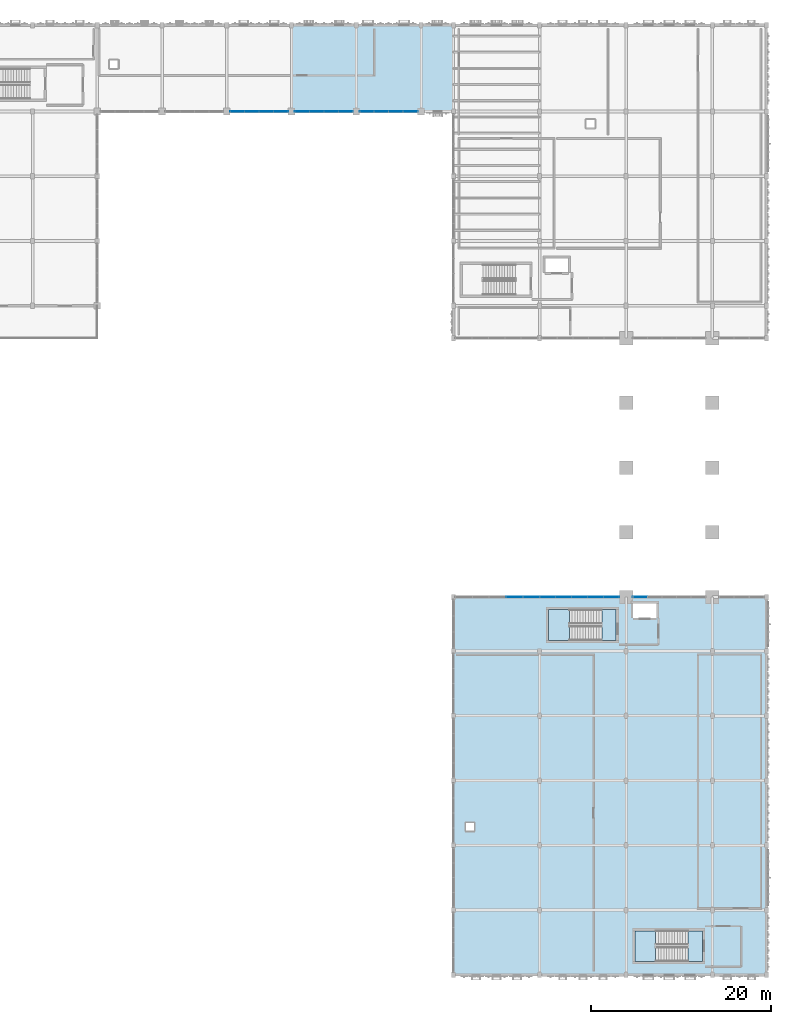
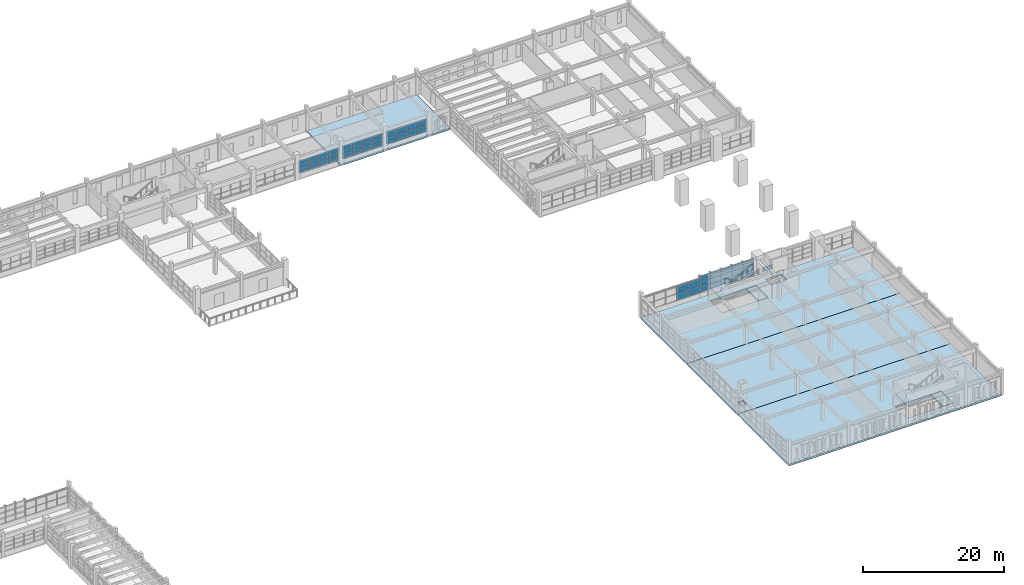
# One storey, part 40 of 69: 52 plates, 8 slabs, 8 elements without a shape of their own.
"""IFC4 building model written with IfcOpenShell, lengths in metres."""

from ifc_helpers import new_model, si_unit, direction, frame, origin, origin_2d, place, context, subcontext, project, spatial, polyline, rectangle, outline, extrude, material, layer, layer_set, type_object, element, aggregate, save


model = new_model("IFC4")

# Units and contexts
model_context = context("Model", 3, precision=1e-05, world=origin(), true_north=direction((0.0, 1.0)))
body_context = subcontext(model_context, "Body", "Model", "MODEL_VIEW")
ifc_project = project(units=[si_unit("LENGTHUNIT", "METRE"), si_unit("AREAUNIT", "SQUARE_METRE"), si_unit("VOLUMEUNIT", "CUBIC_METRE"), si_unit("PLANEANGLEUNIT", "RADIAN"), si_unit("MASSUNIT", "GRAM", prefix="KILO")], contexts=[model_context])

# Site, building, storey
site_placement = place(None, origin())
site = spatial("IfcSite", under=ifc_project, at=site_placement, CompositionType="ELEMENT")
building_placement = place(site_placement, origin())
building = spatial("IfcBuilding", under=site, at=building_placement, Name="Nzembalo Square Collegiate School", CompositionType="ELEMENT")
storey_placement = place(building_placement, frame((0.0, 0.0, 5.10009765625)))
storey = spatial("IfcBuildingStorey", under=building, at=storey_placement, Name="L01", CompositionType="ELEMENT", Elevation=5.10009765625)

# Curtain wall, plates
ifc_material_1 = material(Name="Aluminium 6060-T66", Category="aluminium")
curtain_wall_type_1 = type_object("IfcCurtainWallType", Name="CW-09", PredefinedType="USERDEFINED", material=ifc_material_1)
curtain_wall_1_placement = place(storey_placement, origin())
curtain_wall_1 = element("IfcCurtainWall", 1, at=curtain_wall_1_placement, inside=storey, type_object=curtain_wall_type_1, Name="Curtain wall CW-09 cw:L01:060", ObjectType="UNITISED", PredefinedType="USERDEFINED")
ifc_material_2 = material(Name="Laminated solar-control double glazing", Category="glass")
ifc_layer_1 = layer(ifc_material_2, 0.028076171875, Name="Laminated solar-control double glazing")
ifc_layer_set_1 = layer_set([ifc_layer_1], Name="Laminated solar-control double glazing")
plate_type_1 = type_object("IfcPlateType", Name="PN01", PredefinedType="CURTAIN_PANEL", material=ifc_layer_set_1)
plate_1_placement = place(storey_placement, frame((141.284912109375, 50.39990234375, 0.85400390625), z_axis=(0.0, 0.0, 1.0), x_axis=(1.0, 0.0, 0.0)))
plate_1 = element("IfcPlate", 2, at=plate_1_placement, type_object=plate_type_1, Name="PN01 glazed panel 1-1", PredefinedType="CURTAIN_PANEL", context=body_context, shape_type="SweptSolid", body=[
    extrude(rectangle(XDim=1.76171875, YDim=0.028076171875, at=origin_2d()), origin(), (0.0, 0.0, 1.0), 0.949951171875),
])
plate_2_placement = place(storey_placement, frame((143.054443359375, 50.39990234375, 0.85400390625), z_axis=(0.0, 0.0, 1.0), x_axis=(1.0, 0.0, 0.0)))
plate_2 = element("IfcPlate", 3, at=plate_2_placement, type_object=plate_type_1, Name="PN01 glazed panel 1-2", PredefinedType="CURTAIN_PANEL", context=body_context, shape_type="SweptSolid", body=[
    extrude(rectangle(XDim=1.76171875, YDim=0.028076171875, at=origin_2d()), origin(), (0.0, 0.0, 1.0), 0.949951171875),
])
plate_3_placement = place(storey_placement, frame((144.823974609375, 50.39990234375, 0.85400390625), z_axis=(0.0, 0.0, 1.0), x_axis=(1.0, 0.0, 0.0)))
plate_3 = element("IfcPlate", 4, at=plate_3_placement, type_object=plate_type_1, Name="PN01 glazed panel 1-3", PredefinedType="CURTAIN_PANEL", context=body_context, shape_type="SweptSolid", body=[
    extrude(rectangle(XDim=1.76171875, YDim=0.028076171875, at=origin_2d()), origin(), (0.0, 0.0, 1.0), 0.949951171875),
])
plate_4_placement = place(storey_placement, frame((146.593505859375, 50.39990234375, 0.85400390625), z_axis=(0.0, 0.0, 1.0), x_axis=(1.0, 0.0, 0.0)))
plate_4 = element("IfcPlate", 5, at=plate_4_placement, type_object=plate_type_1, Name="PN01 glazed panel 1-4", PredefinedType="CURTAIN_PANEL", context=body_context, shape_type="SweptSolid", body=[
    extrude(rectangle(XDim=1.76171875, YDim=0.028076171875, at=origin_2d()), origin(), (0.0, 0.0, 1.0), 0.949951171875),
])
plate_5_placement = place(storey_placement, frame((148.36328125, 50.39990234375, 0.85400390625), z_axis=(0.0, 0.0, 1.0), x_axis=(1.0, 0.0, 0.0)))
plate_5 = element("IfcPlate", 6, at=plate_5_placement, type_object=plate_type_1, Name="PN01 glazed panel 1-5", PredefinedType="CURTAIN_PANEL", context=body_context, shape_type="SweptSolid", body=[
    extrude(rectangle(XDim=1.76171875, YDim=0.028076171875, at=origin_2d()), origin(), (0.0, 0.0, 1.0), 0.949951171875),
])
plate_6_placement = place(storey_placement, frame((141.284912109375, 50.39990234375, 1.81201171875), z_axis=(0.0, 0.0, 1.0), x_axis=(1.0, 0.0, 0.0)))
plate_6 = element("IfcPlate", 7, at=plate_6_placement, type_object=plate_type_1, Name="PN01 glazed panel 2-1", PredefinedType="CURTAIN_PANEL", context=body_context, shape_type="SweptSolid", body=[
    extrude(rectangle(XDim=1.76171875, YDim=0.028076171875, at=origin_2d()), origin(), (0.0, 0.0, 1.0), 0.949951171875),
])
plate_7_placement = place(storey_placement, frame((143.054443359375, 50.39990234375, 1.81201171875), z_axis=(0.0, 0.0, 1.0), x_axis=(1.0, 0.0, 0.0)))
plate_7 = element("IfcPlate", 8, at=plate_7_placement, type_object=plate_type_1, Name="PN01 glazed panel 2-2", PredefinedType="CURTAIN_PANEL", context=body_context, shape_type="SweptSolid", body=[
    extrude(rectangle(XDim=1.76171875, YDim=0.028076171875, at=origin_2d()), origin(), (0.0, 0.0, 1.0), 0.949951171875),
])
plate_8_placement = place(storey_placement, frame((144.823974609375, 50.39990234375, 1.81201171875), z_axis=(0.0, 0.0, 1.0), x_axis=(1.0, 0.0, 0.0)))
plate_8 = element("IfcPlate", 9, at=plate_8_placement, type_object=plate_type_1, Name="PN01 glazed panel 2-3", PredefinedType="CURTAIN_PANEL", context=body_context, shape_type="SweptSolid", body=[
    extrude(rectangle(XDim=1.76171875, YDim=0.028076171875, at=origin_2d()), origin(), (0.0, 0.0, 1.0), 0.949951171875),
])
plate_9_placement = place(storey_placement, frame((146.593505859375, 50.39990234375, 1.81201171875), z_axis=(0.0, 0.0, 1.0), x_axis=(1.0, 0.0, 0.0)))
plate_9 = element("IfcPlate", 10, at=plate_9_placement, type_object=plate_type_1, Name="PN01 glazed panel 2-4", PredefinedType="CURTAIN_PANEL", context=body_context, shape_type="SweptSolid", body=[
    extrude(rectangle(XDim=1.76171875, YDim=0.028076171875, at=origin_2d()), origin(), (0.0, 0.0, 1.0), 0.949951171875),
])
plate_10_placement = place(storey_placement, frame((148.36328125, 50.39990234375, 1.81201171875), z_axis=(0.0, 0.0, 1.0), x_axis=(1.0, 0.0, 0.0)))
plate_10 = element("IfcPlate", 11, at=plate_10_placement, type_object=plate_type_1, Name="PN01 glazed panel 2-5", PredefinedType="CURTAIN_PANEL", context=body_context, shape_type="SweptSolid", body=[
    extrude(rectangle(XDim=1.76171875, YDim=0.028076171875, at=origin_2d()), origin(), (0.0, 0.0, 1.0), 0.949951171875),
])
plate_11_placement = place(storey_placement, frame((141.284912109375, 50.39990234375, 2.77001953125), z_axis=(0.0, 0.0, 1.0), x_axis=(1.0, 0.0, 0.0)))
plate_11 = element("IfcPlate", 12, at=plate_11_placement, type_object=plate_type_1, Name="PN01 glazed panel 3-1", PredefinedType="CURTAIN_PANEL", context=body_context, shape_type="SweptSolid", body=[
    extrude(rectangle(XDim=1.76171875, YDim=0.028076171875, at=origin_2d()), origin(), (0.0, 0.0, 1.0), 0.949951171875),
])
plate_12_placement = place(storey_placement, frame((143.054443359375, 50.39990234375, 2.77001953125), z_axis=(0.0, 0.0, 1.0), x_axis=(1.0, 0.0, 0.0)))
plate_12 = element("IfcPlate", 13, at=plate_12_placement, type_object=plate_type_1, Name="PN01 glazed panel 3-2", PredefinedType="CURTAIN_PANEL", context=body_context, shape_type="SweptSolid", body=[
    extrude(rectangle(XDim=1.76171875, YDim=0.028076171875, at=origin_2d()), origin(), (0.0, 0.0, 1.0), 0.949951171875),
])
plate_13_placement = place(storey_placement, frame((144.823974609375, 50.39990234375, 2.77001953125), z_axis=(0.0, 0.0, 1.0), x_axis=(1.0, 0.0, 0.0)))
plate_13 = element("IfcPlate", 14, at=plate_13_placement, type_object=plate_type_1, Name="PN01 glazed panel 3-3", PredefinedType="CURTAIN_PANEL", context=body_context, shape_type="SweptSolid", body=[
    extrude(rectangle(XDim=1.76171875, YDim=0.028076171875, at=origin_2d()), origin(), (0.0, 0.0, 1.0), 0.949951171875),
])
plate_14_placement = place(storey_placement, frame((146.593505859375, 50.39990234375, 2.77001953125), z_axis=(0.0, 0.0, 1.0), x_axis=(1.0, 0.0, 0.0)))
plate_14 = element("IfcPlate", 15, at=plate_14_placement, type_object=plate_type_1, Name="PN01 glazed panel 3-4", PredefinedType="CURTAIN_PANEL", context=body_context, shape_type="SweptSolid", body=[
    extrude(rectangle(XDim=1.76171875, YDim=0.028076171875, at=origin_2d()), origin(), (0.0, 0.0, 1.0), 0.949951171875),
])
plate_15_placement = place(storey_placement, frame((148.36328125, 50.39990234375, 2.77001953125), z_axis=(0.0, 0.0, 1.0), x_axis=(1.0, 0.0, 0.0)))
plate_15 = element("IfcPlate", 16, at=plate_15_placement, type_object=plate_type_1, Name="PN01 glazed panel 3-5", PredefinedType="CURTAIN_PANEL", context=body_context, shape_type="SweptSolid", body=[
    extrude(rectangle(XDim=1.76171875, YDim=0.028076171875, at=origin_2d()), origin(), (0.0, 0.0, 1.0), 0.949951171875),
])
aggregate(curtain_wall_1, [plate_1, plate_2, plate_3, plate_4, plate_5, plate_6, plate_7, plate_8, plate_9, plate_10, plate_11, plate_12, plate_13, plate_14, plate_15])

# Curtain wall, plate
ifc_material_3 = material(Name="Aluminium 6060-T66", Category="aluminium")
curtain_wall_type_2 = type_object("IfcCurtainWallType", Name="CW-10", PredefinedType="USERDEFINED", material=ifc_material_3)
curtain_wall_2_placement = place(storey_placement, origin())
curtain_wall_2 = element("IfcCurtainWall", 17, at=curtain_wall_2_placement, inside=storey, type_object=curtain_wall_type_2, Name="Curtain wall CW-10 cw:L01:061", ObjectType="UNITISED", PredefinedType="USERDEFINED")
plate_16_placement = place(storey_placement, frame((151.5615234375, 50.39990234375, 0.85400390625), z_axis=(0.0, 0.0, 1.0), x_axis=(1.0, 0.0, 0.0)))
plate_16 = element("IfcPlate", 18, at=plate_16_placement, type_object=plate_type_1, Name="PN01 glazed panel 1-1", PredefinedType="CURTAIN_PANEL", context=body_context, shape_type="SweptSolid", body=[
    extrude(rectangle(XDim=1.611083984375, YDim=0.028076171875, at=origin_2d()), origin(), (0.0, 0.0, 1.0), 0.7900390625),
])
aggregate(curtain_wall_2, [plate_16])

# Curtain wall, plates
ifc_material_4 = material(Name="Aluminium 6060-T66", Category="aluminium")
curtain_wall_type_3 = type_object("IfcCurtainWallType", Name="CW-05", PredefinedType="USERDEFINED", material=ifc_material_4)
curtain_wall_3_placement = place(storey_placement, origin())
curtain_wall_3 = element("IfcCurtainWall", 19, at=curtain_wall_3_placement, inside=storey, type_object=curtain_wall_type_3, Name="Curtain wall CW-05 cw:L01:076", ObjectType="LANCET", PredefinedType="USERDEFINED")
plate_17_placement = place(storey_placement, frame((106.78271484375, 104.39990234375, 0.85400390625), z_axis=(0.0, 0.0, 1.0), x_axis=(1.0, 0.0, 0.0)))
plate_17 = element("IfcPlate", 20, at=plate_17_placement, type_object=plate_type_1, Name="PN01 glazed panel 1-1", PredefinedType="CURTAIN_PANEL", context=body_context, shape_type="SweptSolid", body=[
    extrude(rectangle(XDim=1.603515625, YDim=0.028076171875, at=origin_2d()), origin(), (0.0, 0.0, 1.0), 0.716552734375),
])
plate_18_placement = place(storey_placement, frame((108.394287109375, 104.39990234375, 0.85400390625), z_axis=(0.0, 0.0, 1.0), x_axis=(1.0, 0.0, 0.0)))
plate_18 = element("IfcPlate", 21, at=plate_18_placement, type_object=plate_type_1, Name="PN01 glazed panel 1-2", PredefinedType="CURTAIN_PANEL", context=body_context, shape_type="SweptSolid", body=[
    extrude(rectangle(XDim=1.603515625, YDim=0.028076171875, at=origin_2d()), origin(), (0.0, 0.0, 1.0), 0.716552734375),
])
plate_19_placement = place(storey_placement, frame((110.005859375, 104.39990234375, 0.85400390625), z_axis=(0.0, 0.0, 1.0), x_axis=(1.0, 0.0, 0.0)))
plate_19 = element("IfcPlate", 22, at=plate_19_placement, type_object=plate_type_1, Name="PN01 glazed panel 1-3", PredefinedType="CURTAIN_PANEL", context=body_context, shape_type="SweptSolid", body=[
    extrude(rectangle(XDim=1.603515625, YDim=0.028076171875, at=origin_2d()), origin(), (0.0, 0.0, 1.0), 0.716552734375),
])
plate_20_placement = place(storey_placement, frame((111.6171875, 104.39990234375, 0.85400390625), z_axis=(0.0, 0.0, 1.0), x_axis=(1.0, 0.0, 0.0)))
plate_20 = element("IfcPlate", 23, at=plate_20_placement, type_object=plate_type_1, Name="PN01 glazed panel 1-4", PredefinedType="CURTAIN_PANEL", context=body_context, shape_type="SweptSolid", body=[
    extrude(rectangle(XDim=1.603515625, YDim=0.028076171875, at=origin_2d()), origin(), (0.0, 0.0, 1.0), 0.716552734375),
])
plate_21_placement = place(storey_placement, frame((106.78271484375, 104.39990234375, 1.57861328125), z_axis=(0.0, 0.0, 1.0), x_axis=(1.0, 0.0, 0.0)))
plate_21 = element("IfcPlate", 24, at=plate_21_placement, type_object=plate_type_1, Name="PN01 glazed panel 2-1", PredefinedType="CURTAIN_PANEL", context=body_context, shape_type="SweptSolid", body=[
    extrude(rectangle(XDim=1.603515625, YDim=0.028076171875, at=origin_2d()), origin(), (0.0, 0.0, 1.0), 0.716552734375),
])
plate_22_placement = place(storey_placement, frame((108.394287109375, 104.39990234375, 1.57861328125), z_axis=(0.0, 0.0, 1.0), x_axis=(1.0, 0.0, 0.0)))
plate_22 = element("IfcPlate", 25, at=plate_22_placement, type_object=plate_type_1, Name="PN01 glazed panel 2-2", PredefinedType="CURTAIN_PANEL", context=body_context, shape_type="SweptSolid", body=[
    extrude(rectangle(XDim=1.603515625, YDim=0.028076171875, at=origin_2d()), origin(), (0.0, 0.0, 1.0), 0.716552734375),
])
plate_23_placement = place(storey_placement, frame((110.005859375, 104.39990234375, 1.57861328125), z_axis=(0.0, 0.0, 1.0), x_axis=(1.0, 0.0, 0.0)))
plate_23 = element("IfcPlate", 26, at=plate_23_placement, type_object=plate_type_1, Name="PN01 glazed panel 2-3", PredefinedType="CURTAIN_PANEL", context=body_context, shape_type="SweptSolid", body=[
    extrude(rectangle(XDim=1.603515625, YDim=0.028076171875, at=origin_2d()), origin(), (0.0, 0.0, 1.0), 0.716552734375),
])
plate_24_placement = place(storey_placement, frame((111.6171875, 104.39990234375, 1.57861328125), z_axis=(0.0, 0.0, 1.0), x_axis=(1.0, 0.0, 0.0)))
plate_24 = element("IfcPlate", 27, at=plate_24_placement, type_object=plate_type_1, Name="PN01 glazed panel 2-4", PredefinedType="CURTAIN_PANEL", context=body_context, shape_type="SweptSolid", body=[
    extrude(rectangle(XDim=1.603515625, YDim=0.028076171875, at=origin_2d()), origin(), (0.0, 0.0, 1.0), 0.716552734375),
])
plate_25_placement = place(storey_placement, frame((106.78271484375, 104.39990234375, 2.30322265625), z_axis=(0.0, 0.0, 1.0), x_axis=(1.0, 0.0, 0.0)))
plate_25 = element("IfcPlate", 28, at=plate_25_placement, type_object=plate_type_1, Name="PN01 glazed panel 3-1", PredefinedType="CURTAIN_PANEL", context=body_context, shape_type="SweptSolid", body=[
    extrude(rectangle(XDim=1.603515625, YDim=0.028076171875, at=origin_2d()), origin(), (0.0, 0.0, 1.0), 0.716552734375),
])
plate_26_placement = place(storey_placement, frame((108.394287109375, 104.39990234375, 2.30322265625), z_axis=(0.0, 0.0, 1.0), x_axis=(1.0, 0.0, 0.0)))
plate_26 = element("IfcPlate", 29, at=plate_26_placement, type_object=plate_type_1, Name="PN01 glazed panel 3-2", PredefinedType="CURTAIN_PANEL", context=body_context, shape_type="SweptSolid", body=[
    extrude(rectangle(XDim=1.603515625, YDim=0.028076171875, at=origin_2d()), origin(), (0.0, 0.0, 1.0), 0.716552734375),
])
plate_27_placement = place(storey_placement, frame((110.005859375, 104.39990234375, 2.30322265625), z_axis=(0.0, 0.0, 1.0), x_axis=(1.0, 0.0, 0.0)))
plate_27 = element("IfcPlate", 30, at=plate_27_placement, type_object=plate_type_1, Name="PN01 glazed panel 3-3", PredefinedType="CURTAIN_PANEL", context=body_context, shape_type="SweptSolid", body=[
    extrude(rectangle(XDim=1.603515625, YDim=0.028076171875, at=origin_2d()), origin(), (0.0, 0.0, 1.0), 0.716552734375),
])
plate_28_placement = place(storey_placement, frame((111.6171875, 104.39990234375, 2.30322265625), z_axis=(0.0, 0.0, 1.0), x_axis=(1.0, 0.0, 0.0)))
plate_28 = element("IfcPlate", 31, at=plate_28_placement, type_object=plate_type_1, Name="PN01 glazed panel 3-4", PredefinedType="CURTAIN_PANEL", context=body_context, shape_type="SweptSolid", body=[
    extrude(rectangle(XDim=1.603515625, YDim=0.028076171875, at=origin_2d()), origin(), (0.0, 0.0, 1.0), 0.716552734375),
])
aggregate(curtain_wall_3, [plate_17, plate_18, plate_19, plate_20, plate_21, plate_22, plate_23, plate_24, plate_25, plate_26, plate_27, plate_28])

ifc_material_5 = material(Name="Aluminium 6060-T66", Category="aluminium")
curtain_wall_type_4 = type_object("IfcCurtainWallType", Name="CW-12", PredefinedType="USERDEFINED", material=ifc_material_5)
curtain_wall_4_placement = place(storey_placement, origin())
curtain_wall_4 = element("IfcCurtainWall", 32, at=curtain_wall_4_placement, inside=storey, type_object=curtain_wall_type_4, Name="Curtain wall CW-12 cw:L01:059", ObjectType="LANCET", PredefinedType="USERDEFINED")
ifc_material_6 = material(Name="Acoustic laminated solar-control glazing", Category="glass")
ifc_layer_2 = layer(ifc_material_6, 0.031982421875, Name="Acoustic laminated solar-control glazing")
ifc_layer_set_2 = layer_set([ifc_layer_2], Name="Acoustic laminated solar-control glazing")
plate_type_2 = type_object("IfcPlateType", Name="PN02", PredefinedType="CURTAIN_PANEL", material=ifc_layer_set_2)
plate_29_placement = place(storey_placement, frame((137.588134765625, 50.39990234375, 0.85400390625), z_axis=(0.0, 0.0, 1.0), x_axis=(1.0, 0.0, 0.0)))
plate_29 = element("IfcPlate", 33, at=plate_29_placement, type_object=plate_type_2, Name="PN02 glazed panel 1-4", PredefinedType="CURTAIN_PANEL", context=body_context, shape_type="SweptSolid", body=[
    extrude(rectangle(XDim=1.86669921875, YDim=0.031982421875, at=origin_2d()), origin(), (0.0, 0.0, 1.0), 1.214111328125),
])
plate_30_placement = place(storey_placement, frame((139.462646484375, 50.39990234375, 0.85400390625), z_axis=(0.0, 0.0, 1.0), x_axis=(1.0, 0.0, 0.0)))
plate_30 = element("IfcPlate", 34, at=plate_30_placement, type_object=plate_type_2, Name="PN02 glazed panel 1-5", PredefinedType="CURTAIN_PANEL", context=body_context, shape_type="SweptSolid", body=[
    extrude(rectangle(XDim=1.86669921875, YDim=0.031982421875, at=origin_2d()), origin(), (0.0, 0.0, 1.0), 1.214111328125),
])
plate_31_placement = place(storey_placement, frame((137.588134765625, 50.39990234375, 2.07568359375), z_axis=(0.0, 0.0, 1.0), x_axis=(1.0, 0.0, 0.0)))
plate_31 = element("IfcPlate", 35, at=plate_31_placement, type_object=plate_type_2, Name="PN02 glazed panel 2-4", PredefinedType="CURTAIN_PANEL", context=body_context, shape_type="SweptSolid", body=[
    extrude(rectangle(XDim=1.86669921875, YDim=0.031982421875, at=origin_2d()), origin(), (0.0, 0.0, 1.0), 1.214111328125),
])
plate_32_placement = place(storey_placement, frame((139.462646484375, 50.39990234375, 2.07568359375), z_axis=(0.0, 0.0, 1.0), x_axis=(1.0, 0.0, 0.0)))
plate_32 = element("IfcPlate", 36, at=plate_32_placement, type_object=plate_type_2, Name="PN02 glazed panel 2-5", PredefinedType="CURTAIN_PANEL", context=body_context, shape_type="SweptSolid", body=[
    extrude(rectangle(XDim=1.86669921875, YDim=0.031982421875, at=origin_2d()), origin(), (0.0, 0.0, 1.0), 1.214111328125),
])
aggregate(curtain_wall_4, [plate_29, plate_30, plate_31, plate_32])

ifc_material_7 = material(Name="Aluminium 6060-T66", Category="aluminium")
curtain_wall_type_5 = type_object("IfcCurtainWallType", Name="CW-06", PredefinedType="USERDEFINED", material=ifc_material_7)
curtain_wall_5_placement = place(storey_placement, origin())
curtain_wall_5 = element("IfcCurtainWall", 37, at=curtain_wall_5_placement, inside=storey, type_object=curtain_wall_type_5, Name="Curtain wall CW-06 cw:L01:077", ObjectType="LANCET", PredefinedType="USERDEFINED")
plate_33_placement = place(storey_placement, frame((113.982666015625, 104.39990234375, 0.85400390625), z_axis=(0.0, 0.0, 1.0), x_axis=(1.0, 0.0, 0.0)))
plate_33 = element("IfcPlate", 38, at=plate_33_placement, type_object=plate_type_2, Name="PN02 glazed panel 1-1", PredefinedType="CURTAIN_PANEL", context=body_context, shape_type="SweptSolid", body=[
    extrude(rectangle(XDim=1.603515625, YDim=0.031982421875, at=origin_2d()), origin(), (0.0, 0.0, 1.0), 0.716552734375),
])
plate_34_placement = place(storey_placement, frame((115.59423828125, 104.39990234375, 0.85400390625), z_axis=(0.0, 0.0, 1.0), x_axis=(1.0, 0.0, 0.0)))
plate_34 = element("IfcPlate", 39, at=plate_34_placement, type_object=plate_type_2, Name="PN02 glazed panel 1-2", PredefinedType="CURTAIN_PANEL", context=body_context, shape_type="SweptSolid", body=[
    extrude(rectangle(XDim=1.603515625, YDim=0.031982421875, at=origin_2d()), origin(), (0.0, 0.0, 1.0), 0.716552734375),
])
plate_35_placement = place(storey_placement, frame((117.205810546875, 104.39990234375, 0.85400390625), z_axis=(0.0, 0.0, 1.0), x_axis=(1.0, 0.0, 0.0)))
plate_35 = element("IfcPlate", 40, at=plate_35_placement, type_object=plate_type_2, Name="PN02 glazed panel 1-3", PredefinedType="CURTAIN_PANEL", context=body_context, shape_type="SweptSolid", body=[
    extrude(rectangle(XDim=1.603515625, YDim=0.031982421875, at=origin_2d()), origin(), (0.0, 0.0, 1.0), 0.716552734375),
])
plate_36_placement = place(storey_placement, frame((118.817138671875, 104.39990234375, 0.85400390625), z_axis=(0.0, 0.0, 1.0), x_axis=(1.0, 0.0, 0.0)))
plate_36 = element("IfcPlate", 41, at=plate_36_placement, type_object=plate_type_2, Name="PN02 glazed panel 1-4", PredefinedType="CURTAIN_PANEL", context=body_context, shape_type="SweptSolid", body=[
    extrude(rectangle(XDim=1.603515625, YDim=0.031982421875, at=origin_2d()), origin(), (0.0, 0.0, 1.0), 0.716552734375),
])
plate_37_placement = place(storey_placement, frame((113.982666015625, 104.39990234375, 1.57861328125), z_axis=(0.0, 0.0, 1.0), x_axis=(1.0, 0.0, 0.0)))
plate_37 = element("IfcPlate", 42, at=plate_37_placement, type_object=plate_type_2, Name="PN02 glazed panel 2-1", PredefinedType="CURTAIN_PANEL", context=body_context, shape_type="SweptSolid", body=[
    extrude(rectangle(XDim=1.603515625, YDim=0.031982421875, at=origin_2d()), origin(), (0.0, 0.0, 1.0), 0.716552734375),
])
plate_38_placement = place(storey_placement, frame((115.59423828125, 104.39990234375, 1.57861328125), z_axis=(0.0, 0.0, 1.0), x_axis=(1.0, 0.0, 0.0)))
plate_38 = element("IfcPlate", 43, at=plate_38_placement, type_object=plate_type_2, Name="PN02 glazed panel 2-2", PredefinedType="CURTAIN_PANEL", context=body_context, shape_type="SweptSolid", body=[
    extrude(rectangle(XDim=1.603515625, YDim=0.031982421875, at=origin_2d()), origin(), (0.0, 0.0, 1.0), 0.716552734375),
])
plate_39_placement = place(storey_placement, frame((117.205810546875, 104.39990234375, 1.57861328125), z_axis=(0.0, 0.0, 1.0), x_axis=(1.0, 0.0, 0.0)))
plate_39 = element("IfcPlate", 44, at=plate_39_placement, type_object=plate_type_2, Name="PN02 glazed panel 2-3", PredefinedType="CURTAIN_PANEL", context=body_context, shape_type="SweptSolid", body=[
    extrude(rectangle(XDim=1.603515625, YDim=0.031982421875, at=origin_2d()), origin(), (0.0, 0.0, 1.0), 0.716552734375),
])
plate_40_placement = place(storey_placement, frame((118.817138671875, 104.39990234375, 1.57861328125), z_axis=(0.0, 0.0, 1.0), x_axis=(1.0, 0.0, 0.0)))
plate_40 = element("IfcPlate", 45, at=plate_40_placement, type_object=plate_type_2, Name="PN02 glazed panel 2-4", PredefinedType="CURTAIN_PANEL", context=body_context, shape_type="SweptSolid", body=[
    extrude(rectangle(XDim=1.603515625, YDim=0.031982421875, at=origin_2d()), origin(), (0.0, 0.0, 1.0), 0.716552734375),
])
plate_41_placement = place(storey_placement, frame((113.982666015625, 104.39990234375, 2.30322265625), z_axis=(0.0, 0.0, 1.0), x_axis=(1.0, 0.0, 0.0)))
plate_41 = element("IfcPlate", 46, at=plate_41_placement, type_object=plate_type_2, Name="PN02 glazed panel 3-1", PredefinedType="CURTAIN_PANEL", context=body_context, shape_type="SweptSolid", body=[
    extrude(rectangle(XDim=1.603515625, YDim=0.031982421875, at=origin_2d()), origin(), (0.0, 0.0, 1.0), 0.716552734375),
])
plate_42_placement = place(storey_placement, frame((115.59423828125, 104.39990234375, 2.30322265625), z_axis=(0.0, 0.0, 1.0), x_axis=(1.0, 0.0, 0.0)))
plate_42 = element("IfcPlate", 47, at=plate_42_placement, type_object=plate_type_2, Name="PN02 glazed panel 3-2", PredefinedType="CURTAIN_PANEL", context=body_context, shape_type="SweptSolid", body=[
    extrude(rectangle(XDim=1.603515625, YDim=0.031982421875, at=origin_2d()), origin(), (0.0, 0.0, 1.0), 0.716552734375),
])
plate_43_placement = place(storey_placement, frame((117.205810546875, 104.39990234375, 2.30322265625), z_axis=(0.0, 0.0, 1.0), x_axis=(1.0, 0.0, 0.0)))
plate_43 = element("IfcPlate", 48, at=plate_43_placement, type_object=plate_type_2, Name="PN02 glazed panel 3-3", PredefinedType="CURTAIN_PANEL", context=body_context, shape_type="SweptSolid", body=[
    extrude(rectangle(XDim=1.603515625, YDim=0.031982421875, at=origin_2d()), origin(), (0.0, 0.0, 1.0), 0.716552734375),
])
plate_44_placement = place(storey_placement, frame((118.817138671875, 104.39990234375, 2.30322265625), z_axis=(0.0, 0.0, 1.0), x_axis=(1.0, 0.0, 0.0)))
plate_44 = element("IfcPlate", 49, at=plate_44_placement, type_object=plate_type_2, Name="PN02 glazed panel 3-4", PredefinedType="CURTAIN_PANEL", context=body_context, shape_type="SweptSolid", body=[
    extrude(rectangle(XDim=1.603515625, YDim=0.031982421875, at=origin_2d()), origin(), (0.0, 0.0, 1.0), 0.716552734375),
])
aggregate(curtain_wall_5, [plate_33, plate_34, plate_35, plate_36, plate_37, plate_38, plate_39, plate_40, plate_41, plate_42, plate_43, plate_44])

ifc_material_8 = material(Name="Aluminium 6060-T66", Category="aluminium")
curtain_wall_type_6 = type_object("IfcCurtainWallType", Name="CW-07", PredefinedType="USERDEFINED", material=ifc_material_8)
curtain_wall_6_placement = place(storey_placement, origin())
curtain_wall_6 = element("IfcCurtainWall", 50, at=curtain_wall_6_placement, inside=storey, type_object=curtain_wall_type_6, Name="Curtain wall CW-07 cw:L01:078", ObjectType="LANCET", PredefinedType="USERDEFINED")
plate_45_placement = place(storey_placement, frame((121.182861328125, 104.39990234375, 0.853759765625), z_axis=(0.0, 0.0, 1.0), x_axis=(1.0, 0.0, 0.0)))
plate_45 = element("IfcPlate", 51, at=plate_45_placement, type_object=plate_type_2, Name="PN02 glazed panel 1-1", PredefinedType="CURTAIN_PANEL", context=body_context, shape_type="SweptSolid", body=[
    extrude(rectangle(XDim=1.603515625, YDim=0.031982421875, at=origin_2d()), origin(), (0.0, 0.0, 1.0), 1.0791015625),
])
plate_46_placement = place(storey_placement, frame((122.794189453125, 104.39990234375, 0.853759765625), z_axis=(0.0, 0.0, 1.0), x_axis=(1.0, 0.0, 0.0)))
plate_46 = element("IfcPlate", 52, at=plate_46_placement, type_object=plate_type_2, Name="PN02 glazed panel 1-2", PredefinedType="CURTAIN_PANEL", context=body_context, shape_type="SweptSolid", body=[
    extrude(rectangle(XDim=1.603515625, YDim=0.031982421875, at=origin_2d()), origin(), (0.0, 0.0, 1.0), 1.0791015625),
])
plate_47_placement = place(storey_placement, frame((124.40576171875, 104.39990234375, 0.853759765625), z_axis=(0.0, 0.0, 1.0), x_axis=(1.0, 0.0, 0.0)))
plate_47 = element("IfcPlate", 53, at=plate_47_placement, type_object=plate_type_2, Name="PN02 glazed panel 1-3", PredefinedType="CURTAIN_PANEL", context=body_context, shape_type="SweptSolid", body=[
    extrude(rectangle(XDim=1.603515625, YDim=0.031982421875, at=origin_2d()), origin(), (0.0, 0.0, 1.0), 1.0791015625),
])
plate_48_placement = place(storey_placement, frame((126.017333984375, 104.39990234375, 0.853759765625), z_axis=(0.0, 0.0, 1.0), x_axis=(1.0, 0.0, 0.0)))
plate_48 = element("IfcPlate", 54, at=plate_48_placement, type_object=plate_type_2, Name="PN02 glazed panel 1-4", PredefinedType="CURTAIN_PANEL", context=body_context, shape_type="SweptSolid", body=[
    extrude(rectangle(XDim=1.603515625, YDim=0.031982421875, at=origin_2d()), origin(), (0.0, 0.0, 1.0), 1.0791015625),
])
plate_49_placement = place(storey_placement, frame((121.182861328125, 104.39990234375, 1.94091796875), z_axis=(0.0, 0.0, 1.0), x_axis=(1.0, 0.0, 0.0)))
plate_49 = element("IfcPlate", 55, at=plate_49_placement, type_object=plate_type_2, Name="PN02 glazed panel 2-1", PredefinedType="CURTAIN_PANEL", context=body_context, shape_type="SweptSolid", body=[
    extrude(rectangle(XDim=1.603515625, YDim=0.031982421875, at=origin_2d()), origin(), (0.0, 0.0, 1.0), 1.0791015625),
])
plate_50_placement = place(storey_placement, frame((122.794189453125, 104.39990234375, 1.94091796875), z_axis=(0.0, 0.0, 1.0), x_axis=(1.0, 0.0, 0.0)))
plate_50 = element("IfcPlate", 56, at=plate_50_placement, type_object=plate_type_2, Name="PN02 glazed panel 2-2", PredefinedType="CURTAIN_PANEL", context=body_context, shape_type="SweptSolid", body=[
    extrude(rectangle(XDim=1.603515625, YDim=0.031982421875, at=origin_2d()), origin(), (0.0, 0.0, 1.0), 1.0791015625),
])
plate_51_placement = place(storey_placement, frame((124.40576171875, 104.39990234375, 1.94091796875), z_axis=(0.0, 0.0, 1.0), x_axis=(1.0, 0.0, 0.0)))
plate_51 = element("IfcPlate", 57, at=plate_51_placement, type_object=plate_type_2, Name="PN02 glazed panel 2-3", PredefinedType="CURTAIN_PANEL", context=body_context, shape_type="SweptSolid", body=[
    extrude(rectangle(XDim=1.603515625, YDim=0.031982421875, at=origin_2d()), origin(), (0.0, 0.0, 1.0), 1.0791015625),
])
plate_52_placement = place(storey_placement, frame((126.017333984375, 104.39990234375, 1.94091796875), z_axis=(0.0, 0.0, 1.0), x_axis=(1.0, 0.0, 0.0)))
plate_52 = element("IfcPlate", 58, at=plate_52_placement, type_object=plate_type_2, Name="PN02 glazed panel 2-4", PredefinedType="CURTAIN_PANEL", context=body_context, shape_type="SweptSolid", body=[
    extrude(rectangle(XDim=1.603515625, YDim=0.031982421875, at=origin_2d()), origin(), (0.0, 0.0, 1.0), 1.0791015625),
])
aggregate(curtain_wall_6, [plate_45, plate_46, plate_47, plate_48, plate_49, plate_50, plate_51, plate_52])

# Stair, slab
ifc_material_9 = material(Name="Precast concrete C40/50", Category="concrete")
stair_type = type_object("IfcStairType", Name="ST-26R", PredefinedType="HALF_TURN_STAIR", material=ifc_material_9)
stair_1_placement = place(storey_placement, origin())
stair_1 = element("IfcStair", 59, at=stair_1_placement, inside=storey, type_object=stair_type, Name="Escape stair ST-20 (C5 L01)", PredefinedType="HALF_TURN_STAIR")
ifc_material_10 = material(Name="Precast concrete C40/50", Category="concrete")
ifc_layer_3 = layer(ifc_material_10, 0.199951171875, Name="Precast concrete C40/50")
ifc_layer_set_3 = layer_set([ifc_layer_3], Name="Precast concrete C40/50")
slab_type_1 = type_object("IfcSlabType", Name="SL-LDG", PredefinedType="LANDING", material=ifc_layer_set_3)
slab_1_placement = place(storey_placement, frame((0.0, 0.0, 2.010009765625)))
slab_1 = element("IfcSlab", 60, at=slab_1_placement, type_object=slab_type_1, Name="ST-20 landing 1", PredefinedType="LANDING", context=body_context, shape_type="SweptSolid", body=[
    extrude(outline(polyline([(143.699951171875, 49.0), (141.39990234375, 49.0), (141.39990234375, 45.60009765625), (143.699951171875, 45.60009765625), (143.699951171875, 49.0)])), origin(), (0.0, 0.0, 1.0), 0.199951171875),
])
aggregate(stair_1, [slab_1])

stair_2_placement = place(storey_placement, origin())
stair_2 = element("IfcStair", 61, at=stair_2_placement, inside=storey, type_object=stair_type, Name="Escape stair ST-25 (C6 L01)", PredefinedType="HALF_TURN_STAIR")
slab_2_placement = place(storey_placement, frame((0.0, 0.0, 2.010009765625)))
slab_2 = element("IfcSlab", 62, at=slab_2_placement, type_object=slab_type_1, Name="ST-25 landing 1", PredefinedType="LANDING", context=body_context, shape_type="SweptSolid", body=[
    extrude(outline(polyline([(153.300048828125, 13.300048828125), (151.0, 13.300048828125), (151.0, 9.89990234375), (153.300048828125, 9.89990234375), (153.300048828125, 13.300048828125)])), origin(), (0.0, 0.0, 1.0), 0.199951171875),
])
aggregate(stair_2, [slab_2])

# Slabs
ifc_material_11 = material(Name="Concrete C35/45", Category="concrete")
ifc_layer_4 = layer(ifc_material_11, 0.284912109375, Name="Concrete C35/45")
ifc_layer_set_4 = layer_set([ifc_layer_4], Name="Concrete C35/45")
slab_type_2 = type_object("IfcSlabType", Name="SL-01", PredefinedType="FLOOR", material=ifc_layer_set_4)
slab_3_placement = place(storey_placement, frame((0.0, 0.0, -0.28515625)))
element("IfcSlab", 63, at=slab_3_placement, inside=storey, type_object=slab_type_2, Name="Slab SL-L01-45", PredefinedType="FLOOR", context=body_context, shape_type="SweptSolid", body=[
    extrude(outline(polyline([(112.800048828125, 104.39990234375), (130.800048828125, 104.39990234375), (130.800048828125, 114.0), (112.800048828125, 114.0), (112.800048828125, 104.39990234375)])), origin(), (0.0, 0.0, 1.0), 0.28515625),
])
slab_4_placement = place(storey_placement, frame((0.0, 0.0, -0.28515625)))
element("IfcSlab", 64, at=slab_4_placement, inside=storey, type_object=slab_type_2, Name="Core C5 floor landing slab SL-L01-C5", PredefinedType="FLOOR", context=body_context, shape_type="SweptSolid", body=[
    extrude(outline(polyline([(147.300048828125, 45.60009765625), (148.89990234375, 45.60009765625), (148.89990234375, 49.0), (147.300048828125, 49.0), (147.300048828125, 45.60009765625)])), origin(), (0.0, 0.0, 1.0), 0.28515625),
])
slab_5_placement = place(storey_placement, frame((0.0, 0.0, -0.28515625)))
element("IfcSlab", 65, at=slab_5_placement, inside=storey, type_object=slab_type_2, Name="Core C6 floor landing slab SL-L01-C6", PredefinedType="FLOOR", context=body_context, shape_type="SweptSolid", body=[
    extrude(outline(polyline([(156.89990234375, 9.89990234375), (158.5, 9.89990234375), (158.5, 13.300048828125), (156.89990234375, 13.300048828125), (156.89990234375, 9.89990234375)])), origin(), (0.0, 0.0, 1.0), 0.28515625),
])
ifc_material_12 = material(Name="Concrete C30/37", Category="concrete")
ifc_layer_5 = layer(ifc_material_12, 0.304931640625, Name="Concrete C30/37")
ifc_layer_set_5 = layer_set([ifc_layer_5], Name="Concrete C30/37")
slab_type_3 = type_object("IfcSlabType", Name="SL-01S", PredefinedType="FLOOR", material=ifc_layer_set_5)
slab_6_placement = place(storey_placement, frame((0.0, 0.0, -0.30517578125)))
element("IfcSlab", 66, at=slab_6_placement, inside=storey, type_object=slab_type_3, Name="Slab SL-L01-49", PredefinedType="FLOOR", context=body_context, shape_type="SweptSolid", body=[
    extrude(outline(polyline([(130.800048828125, 8.39990234375), (165.60009765625, 8.39990234375), (165.60009765625, 22.800048828125), (130.800048828125, 22.800048828125), (130.800048828125, 8.39990234375)]), holes=[polyline([(158.5, 13.300048828125), (151.0, 13.300048828125), (151.0, 9.89990234375), (158.5, 9.89990234375), (158.5, 13.300048828125)])]), origin(), (0.0, 0.0, 1.0), 0.30517578125),
])
slab_7_placement = place(storey_placement, frame((0.0, 0.0, -0.30517578125)))
element("IfcSlab", 67, at=slab_7_placement, inside=storey, type_object=slab_type_3, Name="Slab SL-L01-50", PredefinedType="FLOOR", context=body_context, shape_type="SweptSolid", body=[
    extrude(outline(polyline([(130.800048828125, 22.800048828125), (165.60009765625, 22.800048828125), (165.60009765625, 37.199951171875), (130.800048828125, 37.199951171875), (130.800048828125, 22.800048828125)]), holes=[polyline([(132.199951171875, 24.39990234375), (133.10009765625, 24.39990234375), (133.10009765625, 25.300048828125), (132.199951171875, 25.300048828125), (132.199951171875, 24.39990234375)])]), origin(), (0.0, 0.0, 1.0), 0.30517578125),
])
slab_8_placement = place(storey_placement, frame((0.0, 0.0, -0.30517578125)))
element("IfcSlab", 68, at=slab_8_placement, inside=storey, type_object=slab_type_3, Name="Slab SL-L01-51", PredefinedType="FLOOR", context=body_context, shape_type="SweptSolid", body=[
    extrude(outline(polyline([(130.800048828125, 37.199951171875), (165.60009765625, 37.199951171875), (165.60009765625, 50.39990234375), (130.800048828125, 50.39990234375), (130.800048828125, 37.199951171875)]), holes=[polyline([(150.800048828125, 48.10009765625), (153.39990234375, 48.10009765625), (153.39990234375, 49.699951171875), (150.800048828125, 49.699951171875), (150.800048828125, 48.10009765625)]), polyline([(148.89990234375, 49.0), (141.39990234375, 49.0), (141.39990234375, 45.60009765625), (148.89990234375, 45.60009765625), (148.89990234375, 49.0)])]), origin(), (0.0, 0.0, 1.0), 0.30517578125),
])

save(model, "model.ifc")
